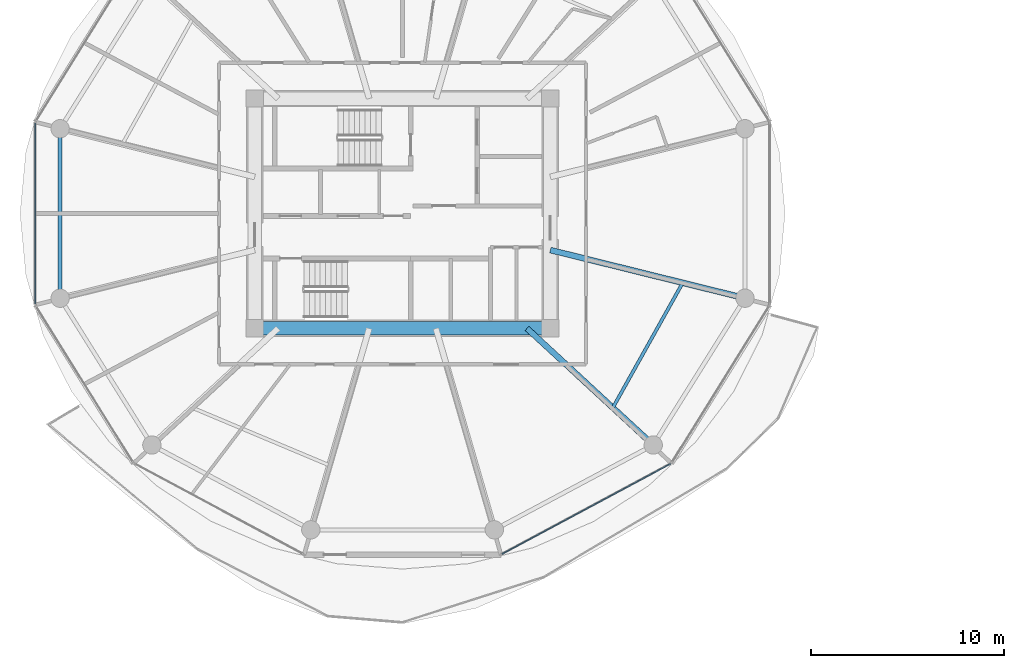
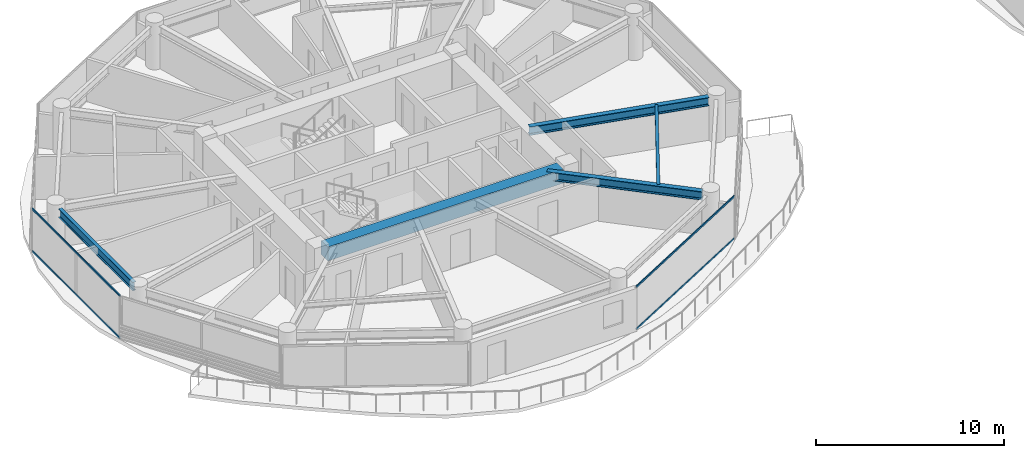
# One storey, part 3 of 26: 5 beams, 4 members, 2 elements without a shape of their own.
"""IFC4 building model written with IfcOpenShell, lengths in metres."""

from ifc_helpers import new_model, si_unit, direction, frame, origin, origin_2d, place, context, subcontext, project, spatial, rectangle, i_section, extrude, source, transform, mapped, material, layer, layer_set, material_profile, profile_set, type_object, type_shapes, element, aggregate, save


model = new_model("IFC4")

# Units and contexts
model_context = context("Model", 3, precision=1e-05, world=origin(), true_north=direction((0.0, 1.0)))
body_context = subcontext(model_context, "Body", "Model", "MODEL_VIEW")
ifc_project = project(units=[si_unit("LENGTHUNIT", "METRE"), si_unit("AREAUNIT", "SQUARE_METRE"), si_unit("VOLUMEUNIT", "CUBIC_METRE"), si_unit("PLANEANGLEUNIT", "RADIAN"), si_unit("MASSUNIT", "GRAM", prefix="KILO")], contexts=[model_context])

# Site, building, storey
site_placement = place(None, origin())
site = spatial("IfcSite", under=ifc_project, at=site_placement, CompositionType="ELEMENT")
building_placement = place(site_placement, origin())
building = spatial("IfcBuilding", under=site, at=building_placement, Name="Norrkilde Senior Care Towers", CompositionType="ELEMENT")
storey_placement = place(building_placement, frame((0.0, 0.0, 49.050048828125)))
storey = spatial("IfcBuildingStorey", under=building, at=storey_placement, Name="L14", CompositionType="ELEMENT", Elevation=49.050048828125)

# Beams
ifc_material_1 = material(Name="Concrete C60/75", Category="concrete")
ifc_material_profile_1 = material_profile(ifc_material_1, rectangle(XDim=0.699951171875, YDim=0.89990234375, at=origin_2d()), Name="RC BM 700x900")
ifc_profile_set_1 = profile_set([ifc_material_profile_1], Name="Concrete C60/75")
beam_type_1 = type_object("IfcBeamType", Name="Core Coupling Girder 700x900", PredefinedType="USERDEFINED", material=ifc_profile_set_1)
shared_shape_1 = source(origin(), body_context, "Body", "SweptSolid", [
    extrude(rectangle(XDim=0.699951171875, YDim=0.89990234375, at=origin_2d()), origin(), (0.0, 0.0, 1.0), 14.43994140625),
])
type_shapes(beam_type_1, [shared_shape_1])
beam_1_placement = place(storey_placement, frame((-35.219970703125, -5.949951171875, 2.33984375), z_axis=(1.0, 0.0, 0.0), x_axis=(0.0, 1.0, 0.0)))
element("IfcBeam", 1, at=beam_1_placement, inside=storey, type_object=beam_type_1, Name="L14 Core W S Coupling Girder", ObjectType="GIRDER", PredefinedType="USERDEFINED", context=body_context, shape_type="MappedRepresentation", body=[
    mapped(shared_shape_1, transform((0.0, 0.0, 0.0), x_axis=(1.0, 0.0, 0.0), y_axis=(0.0, 1.0, 0.0), z_axis=(0.0, 0.0, 1.0), scale=1.0)),
])
ifc_material_2 = material(Name="Steel S355", Category="steel")
ifc_material_profile_2 = material_profile(ifc_material_2, i_section(OverallWidth=0.300048828125, OverallDepth=0.550048828125, WebThickness=0.014892578125, FlangeThickness=0.029052734375, FilletRadius=0.027099609375, at=origin_2d()), Name="HEB 550")
ifc_profile_set_2 = profile_set([ifc_material_profile_2], Name="Steel S355")
beam_type_2 = type_object("IfcBeamType", Name="Radial Floor Beam Z1 HEB550", PredefinedType="BEAM", material=ifc_profile_set_2)
shared_shape_2 = source(origin(), body_context, "Body", "SweptSolid", [
    extrude(i_section(OverallWidth=0.300048828125, OverallDepth=0.550048828125, WebThickness=0.014892578125, FlangeThickness=0.029052734375, FilletRadius=0.027099609375, at=origin_2d()), origin(), (0.0, 0.0, 1.0), 9.94384765625),
])
beam_2_placement = place(storey_placement, frame((-20.35009765625, -1.893310546875, 2.514892578125), z_axis=(0.970707425182, -0.240264634718, 0.0), x_axis=(0.240264634718, 0.970707425182, 0.0)))
element("IfcBeam", 2, at=beam_2_placement, inside=storey, type_object=beam_type_2, Name="L14 Drum W Radial Floor Beam 12", PredefinedType="BEAM", context=body_context, shape_type="MappedRepresentation", body=[
    mapped(shared_shape_2, transform((0.0, 0.0, 0.0), x_axis=(1.0, 0.0, 0.0), y_axis=(0.0, 1.0, 0.0), z_axis=(0.0, 0.0, 1.0), scale=1.0)),
])
shared_shape_3 = source(origin(), body_context, "Body", "SweptSolid", [
    extrude(i_section(OverallWidth=0.300048828125, OverallDepth=0.550048828125, WebThickness=0.014892578125, FlangeThickness=0.029052734375, FilletRadius=0.027099609375, at=origin_2d()), origin(), (0.0, 0.0, 1.0), 8.459716796875),
])
type_shapes(beam_type_2, [shared_shape_2, shared_shape_3])
beam_3_placement = place(storey_placement, frame((-21.55859375, -5.949951171875, 2.514892578125), z_axis=(0.734573269108, -0.678529374686, 0.0), x_axis=(0.678529374686, 0.734573269108, 0.0)))
element("IfcBeam", 3, at=beam_3_placement, inside=storey, type_object=beam_type_2, Name="L14 Drum W Radial Floor Beam 11", PredefinedType="BEAM", context=body_context, shape_type="MappedRepresentation", body=[
    mapped(shared_shape_3, transform((0.0, 0.0, 0.0), x_axis=(1.0, 0.0, 0.0), y_axis=(0.0, 1.0, 0.0), z_axis=(0.0, 0.0, 1.0), scale=1.0)),
])
ifc_material_profile_3 = material_profile(ifc_material_2, i_section(OverallWidth=0.2099609375, OverallDepth=0.550048828125, WebThickness=0.010986328125, FlangeThickness=0.01708984375, FilletRadius=0.02392578125, at=origin_2d()), Name="IPE 550")
ifc_profile_set_3 = profile_set([ifc_material_profile_3], Name="Steel S355")
beam_type_3 = type_object("IfcBeamType", Name="Perimeter Ring Spandrel Z1 IPE550", PredefinedType="SPANDREL", material=ifc_profile_set_3)
shared_shape_4 = source(origin(), body_context, "Body", "SweptSolid", [
    extrude(i_section(OverallWidth=0.2099609375, OverallDepth=0.550048828125, WebThickness=0.010986328125, FlangeThickness=0.01708984375, FilletRadius=0.02392578125, at=origin_2d()), origin(), (0.0, 0.0, 1.0), 7.90380859375),
])
type_shapes(beam_type_3, [shared_shape_4])
beam_4_placement = place(storey_placement, frame((-45.724853515625, 3.951904296875, 2.514892578125), z_axis=(0.0, -1.0, 0.0), x_axis=(1.0, 0.0, 0.0)))
element("IfcBeam", 4, at=beam_4_placement, inside=storey, type_object=beam_type_3, Name="L14 Drum W Perimeter Spandrel 06", PredefinedType="SPANDREL", context=body_context, shape_type="MappedRepresentation", body=[
    mapped(shared_shape_4, transform((0.0, 0.0, 0.0), x_axis=(1.0, 0.0, 0.0), y_axis=(0.0, 1.0, 0.0), z_axis=(0.0, 0.0, 1.0), scale=1.0)),
])
ifc_material_profile_4 = material_profile(ifc_material_2, i_section(OverallWidth=0.169921875, OverallDepth=0.360107421875, WebThickness=0.008056640625, FlangeThickness=0.0126953125, FilletRadius=0.01806640625, at=origin_2d()), Name="IPE 360")
ifc_profile_set_4 = profile_set([ifc_material_profile_4], Name="Steel S355")
beam_type_4 = type_object("IfcBeamType", Name="Secondary Floor Joist IPE360", PredefinedType="JOIST", material=ifc_profile_set_4)
shared_shape_5 = source(origin(), body_context, "Body", "SweptSolid", [
    extrude(i_section(OverallWidth=0.169921875, OverallDepth=0.360107421875, WebThickness=0.008056640625, FlangeThickness=0.0126953125, FilletRadius=0.01806640625, at=origin_2d()), origin(), (0.0, 0.0, 1.0), 7.40771484375),
])
type_shapes(beam_type_4, [shared_shape_5])
beam_5_placement = place(storey_placement, frame((-17.115478515625, -10.05419921875, 2.60986328125), z_axis=(0.488167754092, 0.872749817453, 0.0), x_axis=(-0.872749817453, 0.488167754092, 0.0)))
element("IfcBeam", 5, at=beam_5_placement, inside=storey, type_object=beam_type_4, Name="L14 Drum W Secondary Floor Joist 4", PredefinedType="JOIST", context=body_context, shape_type="MappedRepresentation", body=[
    mapped(shared_shape_5, transform((0.0, 0.0, 0.0), x_axis=(1.0, 0.0, 0.0), y_axis=(0.0, 1.0, 0.0), z_axis=(0.0, 0.0, 1.0), scale=1.0)),
])

# Curtain wall, members
ifc_material_3 = material(Name="Triple Low-E Insulated Glazing", Category="glass")
ifc_layer = layer(ifc_material_3, 0.199951171875)
ifc_layer_set = layer_set([ifc_layer], Name="Triple Low-E Insulated Glazing")
curtain_wall_type = type_object("IfcCurtainWallType", Name="CW2 Zone 1 Memory Care Curtain Wall", PredefinedType="NOTDEFINED", material=ifc_layer_set)
curtain_wall_1_placement = place(storey_placement, origin())
curtain_wall_1 = element("IfcCurtainWall", 6, at=curtain_wall_1_placement, inside=storey, type_object=curtain_wall_type, Name="L14 Drum W Curtain Wall 09", PredefinedType="NOTDEFINED")
ifc_material_4 = material(Name="Anodised Aluminium", Category="aluminium")
ifc_material_profile_5 = material_profile(ifc_material_4, rectangle(XDim=0.06005859375, YDim=0.1201171875, at=origin_2d()), Name="ALU TRAN 60x120")
ifc_profile_set_5 = profile_set([ifc_material_profile_5], Name="Anodised Aluminium")
member_type = type_object("IfcMemberType", Name="Curtain Wall Transom Typical 60x120", PredefinedType="USERDEFINED", material=ifc_profile_set_5)
shared_shape_6 = source(origin(), body_context, "Body", "SweptSolid", [
    extrude(rectangle(XDim=0.06005859375, YDim=0.1201171875, at=origin_2d()), origin(), (0.0, 0.0, 1.0), 9.880859375),
])
member_1_placement = place(storey_placement, frame((-14.141357421875, -12.95654296875, 0.030029296875), z_axis=(-0.881267204043, -0.47261836092, 0.0), x_axis=(0.47261836092, -0.881267204043, 0.0)))
member_1 = element("IfcMember", 7, at=member_1_placement, type_object=member_type, Name="CW-2 transom 1.1", ObjectType="TRANSOM", PredefinedType="USERDEFINED", context=body_context, shape_type="MappedRepresentation", body=[
    mapped(shared_shape_6, transform((0.0, 0.0, 0.0), x_axis=(1.0, 0.0, 0.0), y_axis=(0.0, 1.0, 0.0), z_axis=(0.0, 0.0, 1.0), scale=1.0)),
])
member_2_placement = place(storey_placement, frame((-14.141357421875, -12.95654296875, 2.760009765625), z_axis=(-0.881267204043, -0.47261836092, 0.0), x_axis=(0.47261836092, -0.881267204043, 0.0)))
member_2 = element("IfcMember", 8, at=member_2_placement, type_object=member_type, Name="CW-2 transom 1.2", ObjectType="TRANSOM", PredefinedType="USERDEFINED", context=body_context, shape_type="MappedRepresentation", body=[
    mapped(shared_shape_6, transform((0.0, 0.0, 0.0), x_axis=(1.0, 0.0, 0.0), y_axis=(0.0, 1.0, 0.0), z_axis=(0.0, 0.0, 1.0), scale=1.0)),
])
aggregate(curtain_wall_1, [member_1, member_2])

curtain_wall_2_placement = place(storey_placement, origin())
curtain_wall_2 = element("IfcCurtainWall", 9, at=curtain_wall_2_placement, inside=storey, type_object=curtain_wall_type, Name="L14 Drum W Curtain Wall 05", PredefinedType="NOTDEFINED")
shared_shape_7 = source(origin(), body_context, "Body", "SweptSolid", [
    extrude(rectangle(XDim=0.06005859375, YDim=0.1201171875, at=origin_2d()), origin(), (0.0, 0.0, 1.0), 9.33251953125),
])
type_shapes(member_type, [shared_shape_6, shared_shape_7])
member_3_placement = place(storey_placement, frame((-47.009521484375, -4.666259765625, 0.030029296875), z_axis=(0.0, 1.0, 0.0), x_axis=(-1.0, 0.0, 0.0)))
member_3 = element("IfcMember", 10, at=member_3_placement, type_object=member_type, Name="CW-2 transom 1.1", ObjectType="TRANSOM", PredefinedType="USERDEFINED", context=body_context, shape_type="MappedRepresentation", body=[
    mapped(shared_shape_7, transform((0.0, 0.0, 0.0), x_axis=(1.0, 0.0, 0.0), y_axis=(0.0, 1.0, 0.0), z_axis=(0.0, 0.0, 1.0), scale=1.0)),
])
member_4_placement = place(storey_placement, frame((-47.009521484375, -4.666259765625, 2.760009765625), z_axis=(0.0, 1.0, 0.0), x_axis=(-1.0, 0.0, 0.0)))
member_4 = element("IfcMember", 11, at=member_4_placement, type_object=member_type, Name="CW-2 transom 1.2", ObjectType="TRANSOM", PredefinedType="USERDEFINED", context=body_context, shape_type="MappedRepresentation", body=[
    mapped(shared_shape_7, transform((0.0, 0.0, 0.0), x_axis=(1.0, 0.0, 0.0), y_axis=(0.0, 1.0, 0.0), z_axis=(0.0, 0.0, 1.0), scale=1.0)),
])
aggregate(curtain_wall_2, [member_3, member_4])

save(model, "model.ifc")
